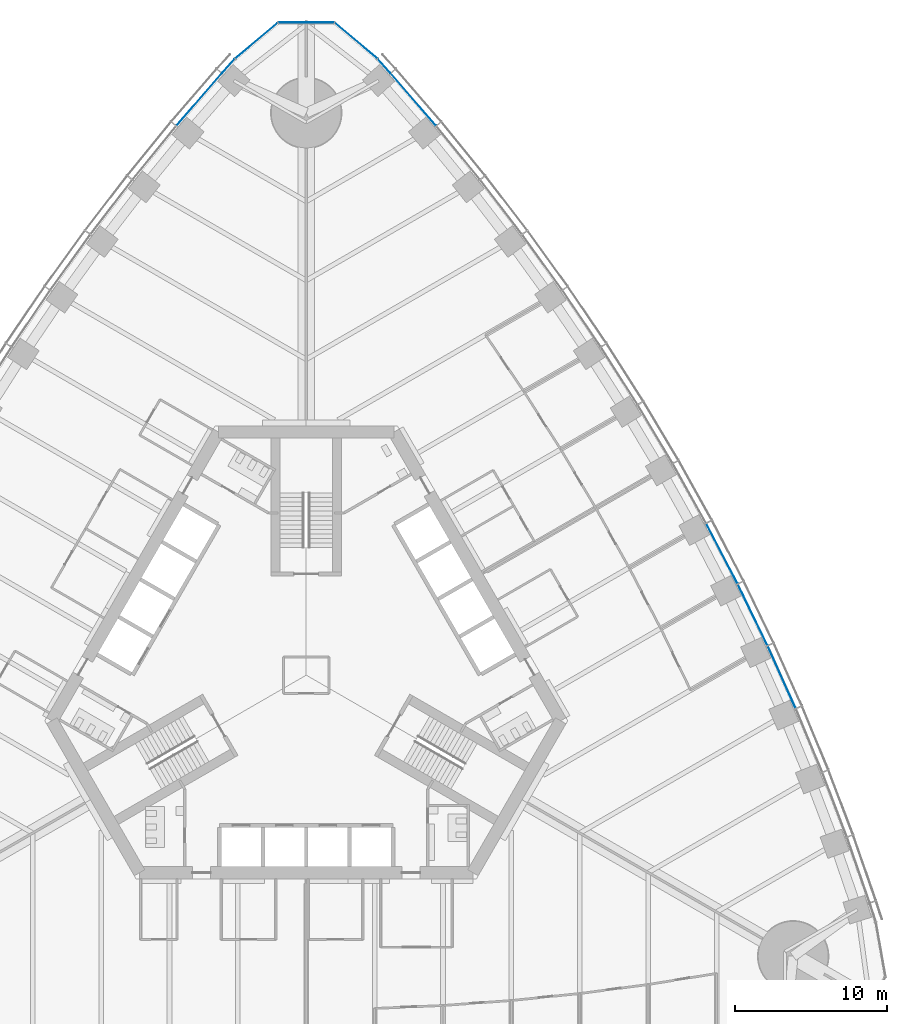
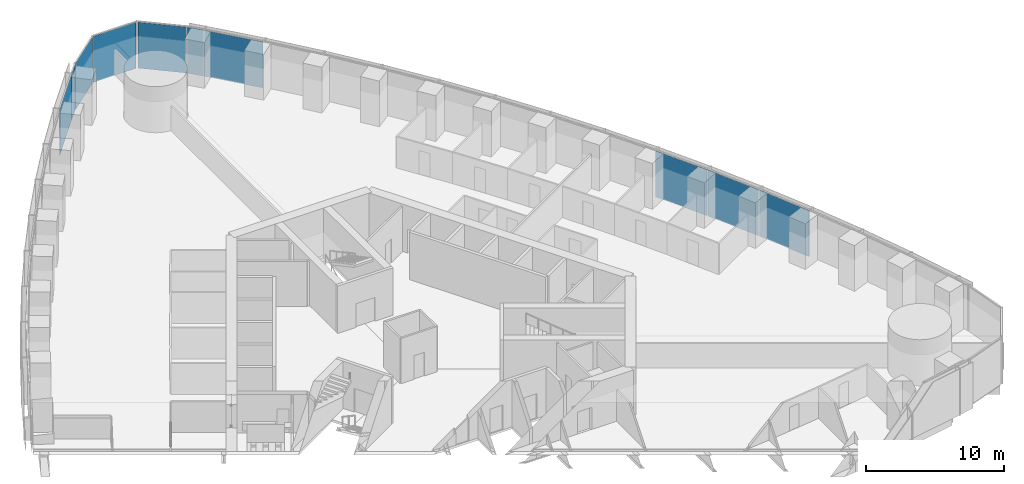
# One storey, part 9 of 19: 10 plates, 3 elements without a shape of their own.
"""IFC4 building model written with IfcOpenShell, lengths in metres."""

import ifcopenshell
import ifcopenshell.guid

model = None  # the IFC model being written
_history = None  # IfcOwnerHistory: only IFC2X3 demands one
_inside = {}  # id of a spatial element -> (the spatial element, [elements in it])
_under = {}  # id of a project, library or spatial element -> (it, [spatial elements below it])
_declared = {}  # id of a project -> (the project, [libraries it declares])
_typed = {}  # id of a type object -> (the type object, [elements of that type])
_made_of = {}  # id of a material, layer set ... -> (it, [elements and type objects made of it])


def new_model(schema):
    """Start an empty IFC model of exactly this schema.

    Asked for "IFC4X3", IfcOpenShell would pick the latest addendum, in which some entities
    have other attributes; the version numbers below select the first issue.
    IFC2X3 requires an IfcOwnerHistory on every rooted entity: one is made here for all.
    """
    global model, _history
    if schema == "IFC4X3":
        model = ifcopenshell.file(schema_version=(4, 3, 0, 0))
    else:
        model = ifcopenshell.file(schema=schema)
    _inside.clear()
    _under.clear()
    _declared.clear()
    _typed.clear()
    _made_of.clear()
    _history = None
    if model.schema == "IFC2X3":
        org = make("IfcOrganization", Name="unknown")
        user = make(
            "IfcPersonAndOrganization",
            ThePerson=make("IfcPerson", FamilyName="unknown"),
            TheOrganization=org,
        )
        app = make(
            "IfcApplication",
            ApplicationDeveloper=org,
            Version="unknown",
            ApplicationFullName="unknown",
            ApplicationIdentifier="unknown",
        )
        _history = make(
            "IfcOwnerHistory",
            OwningUser=user,
            OwningApplication=app,
            ChangeAction="ADDED",
            CreationDate=0,
        )
    return model


def make(cls, **values):
    """One entity of the class cls with the attributes given. An attribute that is None is left unset."""
    return model.create_entity(
        cls, **{name: value for name, value in values.items() if value is not None}
    )


def rooted(cls, **values):
    """An entity with a GlobalId (a new one), such as an element, a storey or a relation."""
    return make(cls, GlobalId=ifcopenshell.guid.new(), OwnerHistory=_history, **values)


def si_unit(unit_type, name, prefix=None):
    """IfcSIUnit, for example si_unit("LENGTHUNIT", "METRE", prefix="MILLI")."""
    return make("IfcSIUnit", UnitType=unit_type, Prefix=prefix, Name=name)


def assignment(units):
    """IfcUnitAssignment: the units of a project."""
    return None if units is None else make("IfcUnitAssignment", Units=units)


def point(xyz):
    """IfcCartesianPoint."""
    return None if xyz is None else make("IfcCartesianPoint", Coordinates=xyz)


def direction(xyz):
    """IfcDirection."""
    return None if xyz is None else make("IfcDirection", DirectionRatios=xyz)


def frame(location, z_axis=None, x_axis=None):
    """IfcAxis2Placement3D, a coordinate frame: its origin and axes. An axis left out is left unset."""
    return make(
        "IfcAxis2Placement3D",
        Location=point(location),
        Axis=direction(z_axis),
        RefDirection=direction(x_axis),
    )


def frame_2d(location, x_axis=None):
    """IfcAxis2Placement2D, a coordinate frame in the plane: its origin and x axis."""
    return make(
        "IfcAxis2Placement2D", Location=point(location), RefDirection=direction(x_axis)
    )


def origin():
    """The frame at (0, 0, 0) with its axes left unset."""
    return frame((0.0, 0.0, 0.0))


def origin_2d():
    """The frame at (0, 0) in the plane with its x axis left unset."""
    return frame_2d((0.0, 0.0))


def place(relative_to, where):
    """IfcLocalPlacement: puts the frame where relative to a parent placement (None: the world)."""
    return make(
        "IfcLocalPlacement", PlacementRelTo=relative_to, RelativePlacement=where
    )


def context(
    kind, dimensions, precision=None, world=None, true_north=None, identifier=None
):
    """IfcGeometricRepresentationContext, for example the 3D "Model" context."""
    return make(
        "IfcGeometricRepresentationContext",
        ContextIdentifier=identifier,
        ContextType=kind,
        CoordinateSpaceDimension=dimensions,
        Precision=precision,
        WorldCoordinateSystem=world,
        TrueNorth=true_north,
    )


def subcontext(parent, identifier, kind, view, scale=None):
    """IfcGeometricRepresentationSubContext, for example "Body" below "Model"."""
    return make(
        "IfcGeometricRepresentationSubContext",
        ContextIdentifier=identifier,
        ContextType=kind,
        ParentContext=parent,
        TargetScale=scale,
        TargetView=view,
    )


def project(units=None, contexts=None):
    """IfcProject with its units and contexts."""
    return rooted(
        "IfcProject",
        Name="project",
        RepresentationContexts=contexts,
        UnitsInContext=assignment(units),
    )


def spatial(cls, under=None, at=None, **own):
    """A site, building, storey or space (cls), placed at a placement, below another one or the project."""
    s = rooted(cls, ObjectPlacement=at, **own)
    if under is not None:
        _under.setdefault(under.id(), (under, []))[1].append(s)
    return s


def profile(cls, at=None, kind="AREA", **sizes):
    """A parametric profile (cls). Its sizes go by their IFC names, for example OverallWidth=200.0."""
    return make(cls, ProfileType=kind, Position=at, **sizes)


def rectangle(**sizes):
    """IfcRectangleProfileDef."""
    return profile("IfcRectangleProfileDef", **sizes)


def extrude(swept, where, along, depth):
    """IfcExtrudedAreaSolid: the profile swept, set in the frame where, extruded along a direction by depth."""
    return make(
        "IfcExtrudedAreaSolid",
        SweptArea=swept,
        Position=where,
        ExtrudedDirection=direction(along),
        Depth=depth,
    )


def shape(context_of_items, identifier, shape_type, items):
    """IfcShapeRepresentation: the items that make up one representation, for example the "Body"."""
    return make(
        "IfcShapeRepresentation",
        ContextOfItems=context_of_items,
        RepresentationIdentifier=identifier,
        RepresentationType=shape_type,
        Items=items,
    )


def material(Name=None, Category=None):
    """IfcMaterial."""
    return make("IfcMaterial", Name=Name, Category=Category)


def layer(
    of_material, thickness, ventilated=None, Name=None, Category=None, Priority=None
):
    """IfcMaterialLayer: one layer of a wall or slab, of a material (None: an air gap)."""
    return make(
        "IfcMaterialLayer",
        Material=of_material,
        LayerThickness=thickness,
        IsVentilated=ventilated,
        Name=Name,
        Category=Category,
        Priority=Priority,
    )


def layer_set(layers, Name=None):
    """IfcMaterialLayerSet."""
    return make("IfcMaterialLayerSet", MaterialLayers=layers, LayerSetName=Name)


def made_of(thing, what):
    """Note that an element or type object is made of a material, layer set ...; save() writes the relation."""
    if what is not None:
        _made_of.setdefault(what.id(), (what, []))[1].append(thing)
    return thing


def type_object(cls, material=None, **own):
    """A type object (cls), such as IfcWallType, which elements share."""
    return made_of(rooted(cls, **own), material)


def element(
    cls,
    number,
    at=None,
    inside=None,
    cuts=None,
    type_object=None,
    material=None,
    context=None,
    identifier="Body",
    shape_type=None,
    held_by="IfcProductDefinitionShape",
    body=None,
    shapes=None,
    **own,
):
    """One element of the class cls, such as IfcWall. Its Tag is "e" and its number.

    at: its placement. inside: the storey or other place that contains it. cuts: it is an
    opening in that element (IfcRelVoidsElement). A single representation is given by context,
    identifier, shape_type and body (its items); several are given by shapes. held_by: the class
    of the entity that holds the representations. save() writes the other relations.
    """
    e = rooted(cls, Tag="e%d" % number, ObjectPlacement=at, **own)
    if body is not None:
        shapes = [shape(context, identifier, shape_type, body)]
    if shapes is not None:
        e.Representation = make(held_by, Representations=shapes)
    if inside is not None:
        _inside.setdefault(inside.id(), (inside, []))[1].append(e)
    if cuts is not None:
        rooted(
            "IfcRelVoidsElement", RelatingBuildingElement=cuts, RelatedOpeningElement=e
        )
    if type_object is not None:
        _typed.setdefault(type_object.id(), (type_object, []))[1].append(e)
    return made_of(e, material)


def aggregate(whole, parts):
    """IfcRelAggregates: a whole, such as a stair, and the parts it consists of."""
    return rooted("IfcRelAggregates", RelatingObject=whole, RelatedObjects=parts)


def save(model, path):
    """Write the relations noted so far, then the file.

    IfcRelAggregates (storeys below a building ...), IfcRelContainedInSpatialStructure (elements
    in a storey), IfcRelDefinesByType, IfcRelAssociatesMaterial and IfcRelDeclares: one each for
    every whole, place, type object, material and project.
    """
    for whole, parts in _under.values():
        aggregate(whole, parts)
    for where, things in _inside.values():
        rooted(
            "IfcRelContainedInSpatialStructure",
            RelatedElements=things,
            RelatingStructure=where,
        )
    for kind, things in _typed.values():
        rooted("IfcRelDefinesByType", RelatedObjects=things, RelatingType=kind)
    for what, things in _made_of.values():
        rooted("IfcRelAssociatesMaterial", RelatedObjects=things, RelatingMaterial=what)
    for by, libraries in _declared.values():
        rooted("IfcRelDeclares", RelatingContext=by, RelatedDefinitions=libraries)
    model.write(path)


model = new_model("IFC4")

# Units and contexts
model_context = context("Model", 3, precision=1e-05, world=origin(), true_north=direction((0.0, 1.0)))
body_context = subcontext(model_context, "Body", "Model", "MODEL_VIEW")
ifc_project = project(units=[si_unit("LENGTHUNIT", "METRE"), si_unit("AREAUNIT", "SQUARE_METRE"), si_unit("VOLUMEUNIT", "CUBIC_METRE"), si_unit("PLANEANGLEUNIT", "RADIAN"), si_unit("MASSUNIT", "GRAM", prefix="KILO")], contexts=[model_context])

# Site, building, storey
site_placement = place(None, origin())
site = spatial("IfcSite", under=ifc_project, at=site_placement, CompositionType="ELEMENT")
building_placement = place(site_placement, origin())
building = spatial("IfcBuilding", under=site, at=building_placement, Name="Trefoil Bronze Tower", CompositionType="ELEMENT")
storey_placement = place(building_placement, frame((0.0, 0.0, 45.89990234375)))
storey = spatial("IfcBuildingStorey", under=building, at=storey_placement, Name="L10", CompositionType="ELEMENT", Elevation=45.89990234375)

# Curtain wall, plates
ifc_material_1 = material(Name="Tinted solar-control glass", Category="glass")
curtain_wall_type_1 = type_object("IfcCurtainWallType", Name="Bronze office curtain wall", PredefinedType="USERDEFINED", material=ifc_material_1)
curtain_wall_1_placement = place(storey_placement, origin())
curtain_wall_1 = element("IfcCurtainWall", 1, at=curtain_wall_1_placement, inside=storey, type_object=curtain_wall_type_1, Name="CW-A L10 F2", ObjectType="CURTAIN WALL", PredefinedType="USERDEFINED")
ifc_material_2 = material(Name="Tinted solar-control glass", Category="glass")
ifc_layer_1 = layer(ifc_material_2, 0.030029296875)
ifc_layer_set_1 = layer_set([ifc_layer_1], Name="Bronze office curtain wall glass panel")
plate_type_1 = type_object("IfcPlateType", Name="Bronze office curtain wall glass panel", PredefinedType="CURTAIN_PANEL", material=ifc_layer_set_1)
plate_1_placement = place(storey_placement, frame((31.28857421875, -0.1337890625, 0.0), z_axis=(0.0, 0.0, 1.0), x_axis=(-0.40945635808, 0.912329705111, 0.0)))
plate_1 = element("IfcPlate", 2, at=plate_1_placement, type_object=plate_type_1, Name="CW-A L10 F2 panel 5", PredefinedType="CURTAIN_PANEL", context=body_context, shape_type="SweptSolid", body=[
    extrude(rectangle(XDim=4.443359375, YDim=0.030029296875, at=origin_2d()), origin(), (0.0, 0.0, 1.0), 4.080078125),
])
plate_2_placement = place(storey_placement, frame((29.3779296875, 3.962646484375, 0.0), z_axis=(0.0, 0.0, 1.0), x_axis=(-0.4358553457, 0.900016731858, 0.0)))
plate_2 = element("IfcPlate", 3, at=plate_2_placement, type_object=plate_type_1, Name="CW-A L10 F2 panel 6", PredefinedType="CURTAIN_PANEL", context=body_context, shape_type="SweptSolid", body=[
    extrude(rectangle(XDim=4.431884765625, YDim=0.030029296875, at=origin_2d()), origin(), (0.0, 0.0, 1.0), 4.080078125),
])
plate_3_placement = place(storey_placement, frame((27.353271484375, 7.9931640625, 0.0), z_axis=(0.0, 0.0, 1.0), x_axis=(-0.46182981834, 0.886968555752, 0.0)))
plate_3 = element("IfcPlate", 4, at=plate_3_placement, type_object=plate_type_1, Name="CW-A L10 F2 panel 7", PredefinedType="CURTAIN_PANEL", context=body_context, shape_type="SweptSolid", body=[
    extrude(rectangle(XDim=4.42431640625, YDim=0.030029296875, at=origin_2d()), origin(), (0.0, 0.0, 1.0), 4.080078125),
])
plate_4_placement = place(storey_placement, frame((7.056396484375, 37.870849609375, 0.0), z_axis=(0.0, 0.0, 1.0), x_axis=(-0.654376090833, 0.756169248083, 0.0)))
plate_4 = element("IfcPlate", 5, at=plate_4_placement, type_object=plate_type_1, Name="CW-A L10 F2 panel 15", PredefinedType="CURTAIN_PANEL", context=body_context, shape_type="SweptSolid", body=[
    extrude(rectangle(XDim=4.502197265625, YDim=0.030029296875, at=origin_2d()), origin(), (0.0, 0.0, 1.0), 4.080078125),
])
plate_5_placement = place(storey_placement, frame((5.12451171875, 40.08447265625, 0.0), z_axis=(0.0, 0.0, 1.0), x_axis=(-0.668575006272, 0.743644714221, 0.0)))
plate_5 = element("IfcPlate", 6, at=plate_5_placement, type_object=plate_type_1, Name="CW-A L10 F2 panel 16", PredefinedType="CURTAIN_PANEL", context=body_context, shape_type="SweptSolid", body=[
    extrude(rectangle(XDim=1.21044921875, YDim=0.030029296875, at=origin_2d()), origin(), (0.0, 0.0, 1.0), 4.080078125),
])
aggregate(curtain_wall_1, [plate_1, plate_2, plate_3, plate_4, plate_5])

curtain_wall_2_placement = place(storey_placement, origin())
curtain_wall_2 = element("IfcCurtainWall", 7, at=curtain_wall_2_placement, inside=storey, type_object=curtain_wall_type_1, Name="CW-A L10 F3", ObjectType="CURTAIN WALL", PredefinedType="USERDEFINED")
plate_6_placement = place(storey_placement, frame((-5.12451171875, 40.08447265625, 0.0), z_axis=(0.0, 0.0, 1.0), x_axis=(-0.668575006272, -0.743644714221, 0.0)))
plate_6 = element("IfcPlate", 8, at=plate_6_placement, type_object=plate_type_1, Name="CW-A L10 F3 panel 1", PredefinedType="CURTAIN_PANEL", context=body_context, shape_type="SweptSolid", body=[
    extrude(rectangle(XDim=1.21044921875, YDim=0.030029296875, at=origin_2d()), origin(), (0.0, 0.0, 1.0), 4.080078125),
])
plate_7_placement = place(storey_placement, frame((-7.056396484375, 37.870849609375, 0.0), z_axis=(0.0, 0.0, 1.0), x_axis=(-0.654376090833, -0.756169248083, 0.0)))
plate_7 = element("IfcPlate", 9, at=plate_7_placement, type_object=plate_type_1, Name="CW-A L10 F3 panel 2", PredefinedType="CURTAIN_PANEL", context=body_context, shape_type="SweptSolid", body=[
    extrude(rectangle(XDim=4.502197265625, YDim=0.030029296875, at=origin_2d()), origin(), (0.0, 0.0, 1.0), 4.080078125),
])
aggregate(curtain_wall_2, [plate_6, plate_7])

ifc_material_3 = material(Name="Tinted solar-control glass", Category="glass")
curtain_wall_type_2 = type_object("IfcCurtainWallType", Name="Bronze rounded corner curtain wall", PredefinedType="USERDEFINED", material=ifc_material_3)
curtain_wall_3_placement = place(storey_placement, origin())
curtain_wall_3 = element("IfcCurtainWall", 10, at=curtain_wall_3_placement, inside=storey, type_object=curtain_wall_type_2, Name="CW-B L10 K2", ObjectType="CURTAIN WALL", PredefinedType="USERDEFINED")
ifc_material_4 = material(Name="Tinted solar-control glass", Category="glass")
ifc_layer_2 = layer(ifc_material_4, 0.030029296875)
ifc_layer_set_2 = layer_set([ifc_layer_2], Name="Bronze rounded corner curtain wall glass panel")
plate_type_2 = type_object("IfcPlateType", Name="Bronze rounded corner curtain wall glass panel", PredefinedType="CURTAIN_PANEL", material=ifc_layer_set_2)
plate_8_placement = place(storey_placement, frame((3.28564453125, 41.74658203125, 0.0), z_axis=(0.0, 0.0, 1.0), x_axis=(-0.766044443119, 0.642787609687, 0.0)))
plate_8 = element("IfcPlate", 11, at=plate_8_placement, type_object=plate_type_2, Name="CW-B L10 K2 panel 1", PredefinedType="CURTAIN_PANEL", context=body_context, shape_type="SweptSolid", body=[
    extrude(rectangle(XDim=3.588134765625, YDim=0.030029296875, at=origin_2d()), origin(), (0.0, 0.0, 1.0), 4.080078125),
])
plate_9_placement = place(storey_placement, frame((0.0, 42.9423828125, 0.0), z_axis=(0.0, 0.0, 1.0), x_axis=(-1.0, 0.0, 0.0)))
plate_9 = element("IfcPlate", 12, at=plate_9_placement, type_object=plate_type_2, Name="CW-B L10 K2 panel 2", PredefinedType="CURTAIN_PANEL", context=body_context, shape_type="SweptSolid", body=[
    extrude(rectangle(XDim=3.588134765625, YDim=0.030029296875, at=origin_2d()), origin(), (0.0, 0.0, 1.0), 4.080078125),
])
plate_10_placement = place(storey_placement, frame((-3.28564453125, 41.74658203125, 0.0), z_axis=(0.0, 0.0, 1.0), x_axis=(-0.766044443119, -0.642787609687, 0.0)))
plate_10 = element("IfcPlate", 13, at=plate_10_placement, type_object=plate_type_2, Name="CW-B L10 K2 panel 3", PredefinedType="CURTAIN_PANEL", context=body_context, shape_type="SweptSolid", body=[
    extrude(rectangle(XDim=3.588134765625, YDim=0.030029296875, at=origin_2d()), origin(), (0.0, 0.0, 1.0), 4.080078125),
])
aggregate(curtain_wall_3, [plate_8, plate_9, plate_10])

save(model, "model.ifc")
